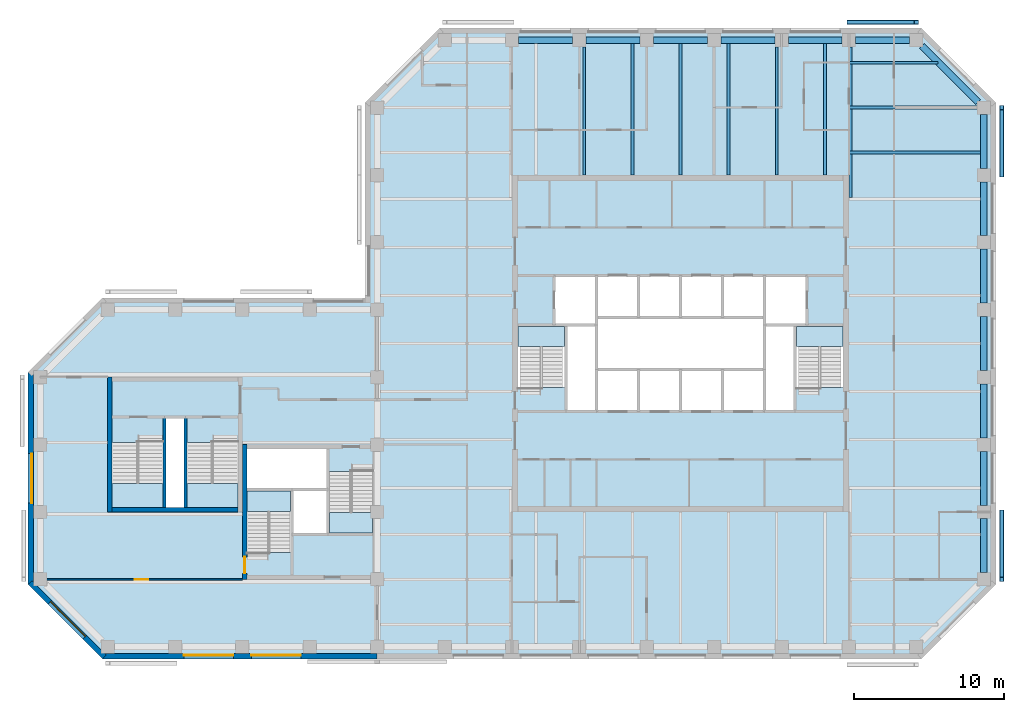
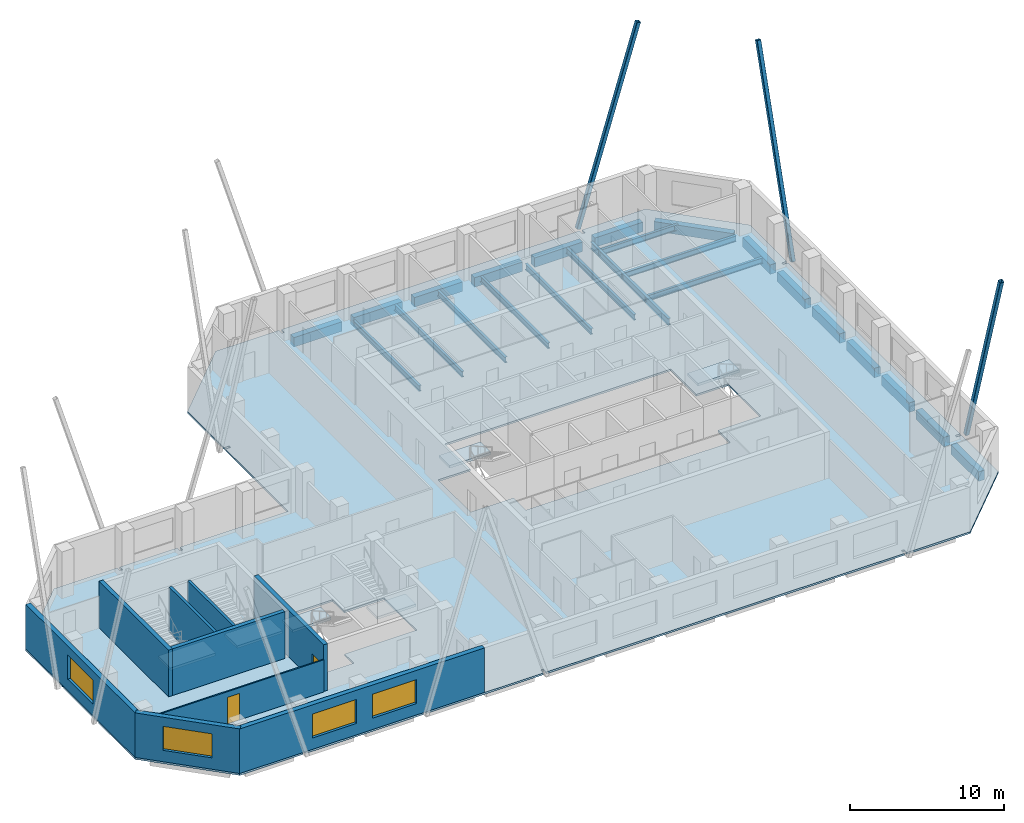
# One storey, part 2 of 9: 24 beams, 9 walls, 7 slabs, 4 windows, 3 members, 2 doors, 6 openings, 6 elements without a shape of their own.
"""IFC4 building model written with IfcOpenShell, lengths in metres."""

from ifc_helpers import new_model, si_unit, direction, frame, frame_2d, origin, origin_2d, place, context, subcontext, project, spatial, polyline, rectangle, hollow_rectangle, i_section, outline, extrude, material, layer, layer_set, constituent, constituent_set, material_profile, profile_set, type_object, element, fill, aggregate, save


model = new_model("IFC4")

# Units and contexts
model_context = context("Model", 3, precision=1e-05, world=origin(), true_north=direction((0.0, 1.0)))
body_context = subcontext(model_context, "Body", "Model", "MODEL_VIEW")
ifc_project = project(units=[si_unit("LENGTHUNIT", "METRE"), si_unit("AREAUNIT", "SQUARE_METRE"), si_unit("VOLUMEUNIT", "CUBIC_METRE"), si_unit("PLANEANGLEUNIT", "RADIAN"), si_unit("MASSUNIT", "GRAM", prefix="KILO")], contexts=[model_context])

# Site, building, storey
site_placement = place(None, origin())
site = spatial("IfcSite", under=ifc_project, at=site_placement, CompositionType="ELEMENT")
building_placement = place(site_placement, origin())
building = spatial("IfcBuilding", under=site, at=building_placement, Name="Quoin Convention Tower", CompositionType="ELEMENT")
storey_placement = place(building_placement, frame((0.0, 0.0, 173.60009765625)))
storey = spatial("IfcBuildingStorey", under=building, at=storey_placement, Name="L45", CompositionType="ELEMENT", Elevation=173.60009765625)

# Beams
ifc_material_1 = material(Name="Steel Grade 300", Category="steel")
ifc_material_profile_1 = material_profile(ifc_material_1, i_section(OverallWidth=0.18994140625, OverallDepth=0.4541015625, WebThickness=0.008544921875, FlangeThickness=0.0126953125, FilletRadius=0.011474609375, at=origin_2d()), Name="460UB67.1")
ifc_profile_set_1 = profile_set([ifc_material_profile_1], Name="Steel Grade 300")
beam_type_1 = type_object("IfcBeamType", Name="460UB67.1", PredefinedType="BEAM", material=ifc_profile_set_1)
beam_1_placement = place(storey_placement, frame((49.8212890625, 72.0, -0.377197265625), z_axis=(0.0, 1.0, 0.0), x_axis=(-1.0, 0.0, 0.0)))
element("IfcBeam", 1, at=beam_1_placement, inside=storey, type_object=beam_type_1, Name="bm-L45-T1N1", PredefinedType="BEAM", context=body_context, shape_type="SweptSolid", body=[
    extrude(i_section(OverallWidth=0.18994140625, OverallDepth=0.4541015625, WebThickness=0.008544921875, FlangeThickness=0.0126953125, FilletRadius=0.011474609375, at=origin_2d()), origin(), (0.0, 0.0, 1.0), 8.550048828125),
])
for number, where, z_axis, x_axis, name in (
    (2, (53.03564453125, 72.0, -0.377197265625), (0.0, 1.0, 0.0), (-1.0, 0.0, 0.0), "bm-L45-T1N2"),
    (3, (56.25, 72.0, -0.377197265625), (0.0, 1.0, 0.0), (-1.0, 0.0, 0.0), "bm-L45-T1N3"),
    (4, (59.46435546875, 72.0, -0.377197265625), (0.0, 1.0, 0.0), (-1.0, 0.0, 0.0), "bm-L45-T1N4"),
):
    element("IfcBeam", number, at=place(storey_placement, frame(where, z_axis=z_axis, x_axis=x_axis)), inside=storey, type_object=beam_type_1, Name=name, PredefinedType="BEAM", context=body_context, shape_type="SweptSolid", body=[
        extrude(i_section(OverallWidth=0.18994140625, OverallDepth=0.4541015625, WebThickness=0.008544921875, FlangeThickness=0.0126953125, FilletRadius=0.011474609375, at=origin_2d()), origin(), (0.0, 0.0, 1.0), 8.77490234375),
    ])
beam_2_placement = place(storey_placement, frame((62.6787109375, 72.0, -0.377197265625), z_axis=(0.0, 1.0, 0.0), x_axis=(-1.0, 0.0, 0.0)))
element("IfcBeam", 5, at=beam_2_placement, inside=storey, type_object=beam_type_1, Name="bm-L45-T1N5", PredefinedType="BEAM", context=body_context, shape_type="SweptSolid", body=[
    extrude(i_section(OverallWidth=0.18994140625, OverallDepth=0.4541015625, WebThickness=0.008544921875, FlangeThickness=0.0126953125, FilletRadius=0.011474609375, at=origin_2d()), origin(), (0.0, 0.0, 1.0), 8.550048828125),
])
beam_3_placement = place(storey_placement, frame((65.892822265625, 72.0, -0.377197265625), z_axis=(0.0, 1.0, 0.0), x_axis=(-1.0, 0.0, 0.0)))
element("IfcBeam", 6, at=beam_3_placement, inside=storey, type_object=beam_type_1, Name="bm-L45-T1N6", PredefinedType="BEAM", context=body_context, shape_type="SweptSolid", body=[
    extrude(i_section(OverallWidth=0.18994140625, OverallDepth=0.4541015625, WebThickness=0.008544921875, FlangeThickness=0.0126953125, FilletRadius=0.011474609375, at=origin_2d()), origin(), (0.0, 0.0, 1.0), 8.77490234375),
])
beam_4_placement = place(storey_placement, frame((67.5, 79.5, -0.377197265625), z_axis=(1.0, 0.0, 0.0), x_axis=(0.0, 1.0, 0.0)))
element("IfcBeam", 7, at=beam_4_placement, inside=storey, type_object=beam_type_1, Name="bm-L45-T1NE0", PredefinedType="BEAM", context=body_context, shape_type="SweptSolid", body=[
    extrude(i_section(OverallWidth=0.18994140625, OverallDepth=0.4541015625, WebThickness=0.008544921875, FlangeThickness=0.0126953125, FilletRadius=0.011474609375, at=origin_2d()), origin(), (0.0, 0.0, 1.0), 5.935791015625),
])
beam_5_placement = place(storey_placement, frame((67.5, 76.5, -0.377197265625), z_axis=(1.0, 0.0, 0.0), x_axis=(0.0, 1.0, 0.0)))
element("IfcBeam", 8, at=beam_5_placement, inside=storey, type_object=beam_type_1, Name="bm-L45-T1NE1", PredefinedType="BEAM", context=body_context, shape_type="SweptSolid", body=[
    extrude(i_section(OverallWidth=0.18994140625, OverallDepth=0.4541015625, WebThickness=0.008544921875, FlangeThickness=0.0126953125, FilletRadius=0.011474609375, at=origin_2d()), origin(), (0.0, 0.0, 1.0), 8.550048828125),
])
beam_6_placement = place(storey_placement, frame((67.5, 73.5, -0.377197265625), z_axis=(1.0, 0.0, 0.0), x_axis=(0.0, 1.0, 0.0)))
element("IfcBeam", 9, at=beam_6_placement, inside=storey, type_object=beam_type_1, Name="bm-L45-T1NE2", PredefinedType="BEAM", context=body_context, shape_type="SweptSolid", body=[
    extrude(i_section(OverallWidth=0.18994140625, OverallDepth=0.4541015625, WebThickness=0.008544921875, FlangeThickness=0.0126953125, FilletRadius=0.011474609375, at=origin_2d()), origin(), (0.0, 0.0, 1.0), 8.77490234375),
])
ifc_material_profile_2 = material_profile(ifc_material_1, i_section(OverallWidth=0.208984375, OverallDepth=0.528076171875, WebThickness=0.009521484375, FlangeThickness=0.01318359375, FilletRadius=0.013916015625, at=origin_2d()), Name="530UB82.0")
ifc_profile_set_2 = profile_set([ifc_material_profile_2], Name="Steel Grade 300")
beam_type_2 = type_object("IfcBeamType", Name="530UB82.0", PredefinedType="BEAM", material=ifc_profile_set_2)
beam_7_placement = place(storey_placement, frame((67.595458984375, 80.550048828125, -0.4140625), z_axis=(0.0, -1.0, 0.0), x_axis=(1.0, 0.0, 0.0)))
element("IfcBeam", 10, at=beam_7_placement, inside=storey, type_object=beam_type_2, Name="gir-L45-T1NE", PredefinedType="BEAM", context=body_context, shape_type="SweptSolid", body=[
    extrude(i_section(OverallWidth=0.208984375, OverallDepth=0.528076171875, WebThickness=0.009521484375, FlangeThickness=0.01318359375, FilletRadius=0.013916015625, at=origin_2d()), origin(), (0.0, 0.0, 1.0), 10.062255859375),
])

# Members
ifc_material_2 = material(Name="Steel C450L0", Category="steel")
ifc_material_profile_3 = material_profile(ifc_material_2, hollow_rectangle(XDim=0.300048828125, YDim=0.300048828125, WallThickness=0.012451171875, InnerFilletRadius=0.018798828125, OuterFilletRadius=0.03125, at=origin_2d()), Name="300x300x12.5SHS")
ifc_profile_set_3 = profile_set([ifc_material_profile_3], Name="Steel C450L0")
member_type = type_object("IfcMemberType", Name="Exposed brace 300x300x12.5SHS", PredefinedType="BRACE", material=ifc_profile_set_3)
for number, where, z_axis, x_axis, name in (
    (11, (67.5, 82.199951171875, -0.0751953125), (0.290903487189, 0.0, 0.956752403259), (0.0, 1.0, 0.0), "brc-L45-72000_81000-67500_81000"),
    (12, (77.699951171875, 49.5, -0.0751953125), (0.0, -0.290903487189, 0.956752403259), (1.0, 0.0, 0.0), "brc-L45-76500_45000-76500_49500"),
    (13, (77.699951171875, 72.0, -0.0751953125), (0.0, 0.290903487189, 0.956752403259), (-1.0, 0.0, 0.0), "brc-L45-76500_72000-76500_76500"),
):
    element("IfcMember", number, at=place(storey_placement, frame(where, z_axis=z_axis, x_axis=x_axis)), inside=storey, type_object=member_type, Name=name, PredefinedType="BRACE", context=body_context, shape_type="SweptSolid", body=[
        extrude(hollow_rectangle(XDim=0.300048828125, YDim=0.300048828125, WallThickness=0.012451171875, InnerFilletRadius=0.018798828125, OuterFilletRadius=0.03125, at=origin_2d()), origin(), (0.0, 0.0, 1.0), 15.468994140625),
    ])

# Beams
ifc_material_3 = material(Name="Concrete C50", Category="concrete")
ifc_material_profile_4 = material_profile(ifc_material_3, rectangle(XDim=0.449951171875, YDim=0.75, at=origin_2d()), Name="RC 450x750")
ifc_profile_set_4 = profile_set([ifc_material_profile_4], Name="Concrete C50")
beam_type_3 = type_object("IfcBeamType", Name="RC 450x750 C50", PredefinedType="SPANDREL", material=ifc_profile_set_4)
for number, where, z_axis, x_axis, name in (
    (14, (76.5, 45.449951171875, -0.525146484375), (0.0, 1.0, 0.0), (-1.0, 0.0, 0.0), "spd-L45-76500_45000-76500_49500"),
    (15, (76.5, 49.949951171875, -0.525146484375), (0.0, 1.0, 0.0), (-1.0, 0.0, 0.0), "spd-L45-76500_49500-76500_54000"),
    (16, (76.5, 54.449951171875, -0.525146484375), (0.0, 1.0, 0.0), (-1.0, 0.0, 0.0), "spd-L45-76500_54000-76500_58500"),
    (17, (76.5, 58.949951171875, -0.525146484375), (0.0, 1.0, 0.0), (-1.0, 0.0, 0.0), "spd-L45-76500_58500-76500_63000"),
    (18, (76.5, 63.449951171875, -0.525146484375), (0.0, 1.0, 0.0), (-1.0, 0.0, 0.0), "spd-L45-76500_63000-76500_67500"),
    (19, (76.5, 67.949951171875, -0.525146484375), (0.0, 1.0, 0.0), (-1.0, 0.0, 0.0), "spd-L45-76500_67500-76500_72000"),
    (20, (76.5, 72.449951171875, -0.525146484375), (0.0, 1.0, 0.0), (-1.0, 0.0, 0.0), "spd-L45-76500_72000-76500_76500"),
):
    element("IfcBeam", number, at=place(storey_placement, frame(where, z_axis=z_axis, x_axis=x_axis)), inside=storey, type_object=beam_type_3, Name=name, PredefinedType="SPANDREL", context=body_context, shape_type="SweptSolid", body=[
        extrude(rectangle(XDim=0.449951171875, YDim=0.75, at=origin_2d()), origin(), (0.0, 0.0, 1.0), 3.60009765625),
    ])
beam_8_placement = place(storey_placement, frame((76.135009765625, 76.864990234375, -0.525146484375), z_axis=(-0.707106781187, 0.707106781187, 0.0), x_axis=(-0.707106781187, -0.707106781187, 0.0)))
element("IfcBeam", 21, at=beam_8_placement, inside=storey, type_object=beam_type_3, Name="spd-L45-76500_76500-72000_81000", PredefinedType="SPANDREL", context=body_context, shape_type="SweptSolid", body=[
    extrude(rectangle(XDim=0.449951171875, YDim=0.75, at=origin_2d()), origin(), (0.0, 0.0, 1.0), 5.33154296875),
])
for number, where, z_axis, x_axis, name in (
    (22, (71.550048828125, 81.0, -0.525146484375), (-1.0, 0.0, 0.0), (0.0, -1.0, 0.0), "spd-L45-72000_81000-67500_81000"),
    (23, (67.050048828125, 81.0, -0.525146484375), (-1.0, 0.0, 0.0), (0.0, -1.0, 0.0), "spd-L45-67500_81000-63000_81000"),
    (24, (62.550048828125, 81.0, -0.525146484375), (-1.0, 0.0, 0.0), (0.0, -1.0, 0.0), "spd-L45-63000_81000-58500_81000"),
    (25, (58.050048828125, 81.0, -0.525146484375), (-1.0, 0.0, 0.0), (0.0, -1.0, 0.0), "spd-L45-58500_81000-54000_81000"),
    (26, (53.550048828125, 81.0, -0.525146484375), (-1.0, 0.0, 0.0), (0.0, -1.0, 0.0), "spd-L45-54000_81000-49500_81000"),
    (27, (49.050048828125, 81.0, -0.525146484375), (-1.0, 0.0, 0.0), (0.0, -1.0, 0.0), "spd-L45-49500_81000-45000_81000"),
):
    element("IfcBeam", number, at=place(storey_placement, frame(where, z_axis=z_axis, x_axis=x_axis)), inside=storey, type_object=beam_type_3, Name=name, PredefinedType="SPANDREL", context=body_context, shape_type="SweptSolid", body=[
        extrude(rectangle(XDim=0.449951171875, YDim=0.75, at=origin_2d()), origin(), (0.0, 0.0, 1.0), 3.60009765625),
    ])

# Slab
ifc_material_4 = material(Name="Concrete C40", Category="concrete")
ifc_layer_1 = layer(ifc_material_4, 0.14990234375)
ifc_layer_set_1 = layer_set([ifc_layer_1], Name="Concrete C40")
slab_type_1 = type_object("IfcSlabType", Name="COMPOSITE SLAB 150 C40", PredefinedType="FLOOR", material=ifc_layer_set_1)
slab_1_placement = place(storey_placement, frame((0.0, 0.0, -0.150146484375)))
element("IfcSlab", 28, at=slab_1_placement, inside=storey, type_object=slab_type_1, Name="slb-L45", PredefinedType="FLOOR", context=body_context, shape_type="SweptSolid", body=[
    extrude(outline(polyline([(12.699951171875, 44.668701171875), (12.699951171875, 49.405029296875), (13.070068359375, 49.405029296875), (13.070068359375, 49.594970703125), (12.699951171875, 49.594970703125), (12.699951171875, 53.905029296875), (13.070068359375, 53.905029296875), (13.070068359375, 54.094970703125), (12.699951171875, 54.094970703125), (12.699951171875, 58.831298828125), (17.668701171875, 63.800048828125), (22.405029296875, 63.800048828125), (22.405029296875, 63.429931640625), (22.594970703125, 63.429931640625), (22.594970703125, 63.800048828125), (26.905029296875, 63.800048828125), (26.905029296875, 63.429931640625), (27.094970703125, 63.429931640625), (27.094970703125, 63.800048828125), (35.199951171875, 63.800048828125), (35.199951171875, 71.905029296875), (35.570068359375, 71.905029296875), (35.570068359375, 72.094970703125), (35.199951171875, 72.094970703125), (35.199951171875, 76.831298828125), (40.168701171875, 81.800048828125), (44.905029296875, 81.800048828125), (44.905029296875, 81.429931640625), (45.094970703125, 81.429931640625), (45.094970703125, 81.800048828125), (67.405029296875, 81.800048828125), (67.405029296875, 81.429931640625), (67.594970703125, 81.429931640625), (67.594970703125, 81.800048828125), (72.331298828125, 81.800048828125), (77.300048828125, 76.831298828125), (77.300048828125, 72.094970703125), (76.929931640625, 72.094970703125), (76.929931640625, 71.905029296875), (77.300048828125, 71.905029296875), (77.300048828125, 49.594970703125), (76.929931640625, 49.594970703125), (76.929931640625, 49.405029296875), (77.300048828125, 49.405029296875), (77.300048828125, 44.668701171875), (72.331298828125, 39.699951171875), (67.594970703125, 39.699951171875), (67.594970703125, 40.070068359375), (67.405029296875, 40.070068359375), (67.405029296875, 39.699951171875), (40.594970703125, 39.699951171875), (40.594970703125, 40.070068359375), (40.405029296875, 40.070068359375), (40.405029296875, 39.699951171875), (31.594970703125, 39.699951171875), (31.594970703125, 40.070068359375), (31.405029296875, 40.070068359375), (31.405029296875, 39.699951171875), (22.594970703125, 39.699951171875), (22.594970703125, 40.070068359375), (22.405029296875, 40.070068359375), (22.405029296875, 39.699951171875), (17.668701171875, 39.699951171875), (12.699951171875, 44.668701171875)]), holes=[polyline([(27.300048828125, 46.800537109375), (30.300048828125, 46.800537109375), (30.300048828125, 48.0), (32.699951171875, 48.0), (35.699951171875, 48.0), (35.699951171875, 52.199462890625), (32.699951171875, 52.199462890625), (32.699951171875, 53.699951171875), (27.300048828125, 53.699951171875), (27.300048828125, 51.0), (27.300048828125, 46.800537109375)]), polyline([(21.800048828125, 49.800048828125), (23.199951171875, 49.800048828125), (26.699951171875, 49.800048828125), (26.699951171875, 54.1494140625), (23.199951171875, 54.1494140625), (23.199951171875, 55.85009765625), (21.800048828125, 55.85009765625), (21.800048828125, 54.1494140625), (18.300048828125, 54.1494140625), (18.300048828125, 49.800048828125), (21.800048828125, 49.800048828125)]), polyline([(50.64990234375, 56.199951171875), (53.449951171875, 56.199951171875), (56.25, 56.199951171875), (59.050048828125, 56.199951171875), (61.85009765625, 56.199951171875), (63.89990234375, 56.199951171875), (63.89990234375, 57.800537109375), (67.10009765625, 57.800537109375), (67.10009765625, 62.0), (64.699951171875, 62.0), (64.699951171875, 65.300048828125), (61.85009765625, 65.300048828125), (59.050048828125, 65.300048828125), (56.25, 65.300048828125), (53.449951171875, 65.300048828125), (50.64990234375, 65.300048828125), (47.800048828125, 65.300048828125), (47.800048828125, 62.0), (45.39990234375, 62.0), (45.39990234375, 57.800537109375), (48.60009765625, 57.800537109375), (48.60009765625, 56.199951171875), (50.64990234375, 56.199951171875)])]), origin(), (0.0, 0.0, 1.0), 0.150146484375),
])

# Stair, slab
stair_type_1 = type_object("IfcStairType", Name="Exit stair two-flight 1350", PredefinedType="HALF_TURN_STAIR", material=ifc_material_4)
stair_1_placement = place(storey_placement, origin())
stair_1 = element("IfcStair", 29, at=stair_1_placement, inside=storey, type_object=stair_type_1, Name="SD1 L45", PredefinedType="HALF_TURN_STAIR")
ifc_layer_2 = layer(ifc_material_4, 0.199951171875)
ifc_layer_set_2 = layer_set([ifc_layer_2], Name="Concrete C40")
slab_type_2 = type_object("IfcSlabType", Name="Stair landing 200", PredefinedType="LANDING", material=ifc_layer_set_2)
slab_2_placement = place(storey_placement, frame((0.0, 0.0, 1.792236328125)))
slab_2 = element("IfcSlab", 30, at=slab_2_placement, type_object=slab_type_2, Name="ST1 landing 1", PredefinedType="LANDING", context=body_context, shape_type="SweptSolid", body=[
    extrude(outline(polyline([(45.39990234375, 60.550048828125), (48.5, 60.550048828125), (48.5, 61.89990234375), (45.39990234375, 61.89990234375), (45.39990234375, 60.550048828125)])), origin(), (0.0, 0.0, 1.0), 0.199951171875),
])
aggregate(stair_1, [slab_2])

stair_2_placement = place(storey_placement, origin())
stair_2 = element("IfcStair", 31, at=stair_2_placement, inside=storey, type_object=stair_type_1, Name="SD2 L45", PredefinedType="HALF_TURN_STAIR")
slab_3_placement = place(storey_placement, frame((0.0, 0.0, 1.792236328125)))
slab_3 = element("IfcSlab", 32, at=slab_3_placement, type_object=slab_type_2, Name="ST2 landing 1", PredefinedType="LANDING", context=body_context, shape_type="SweptSolid", body=[
    extrude(outline(polyline([(64.0, 60.550048828125), (67.10009765625, 60.550048828125), (67.10009765625, 61.89990234375), (64.0, 61.89990234375), (64.0, 60.550048828125)])), origin(), (0.0, 0.0, 1.0), 0.199951171875),
])
aggregate(stair_2, [slab_3])

stair_3_placement = place(storey_placement, origin())
stair_3 = element("IfcStair", 33, at=stair_3_placement, inside=storey, type_object=stair_type_1, Name="SD3 L45", PredefinedType="HALF_TURN_STAIR")
slab_4_placement = place(storey_placement, frame((0.0, 0.0, 1.792236328125)))
slab_4 = element("IfcSlab", 34, at=slab_4_placement, type_object=slab_type_2, Name="ST3 landing 1", PredefinedType="LANDING", context=body_context, shape_type="SweptSolid", body=[
    extrude(outline(polyline([(27.300048828125, 49.550048828125), (30.199951171875, 49.550048828125), (30.199951171875, 50.89990234375), (27.300048828125, 50.89990234375), (27.300048828125, 49.550048828125)])), origin(), (0.0, 0.0, 1.0), 0.199951171875),
])
aggregate(stair_3, [slab_4])

stair_4_placement = place(storey_placement, origin())
stair_4 = element("IfcStair", 35, at=stair_4_placement, inside=storey, type_object=stair_type_1, Name="SD4 L45", PredefinedType="HALF_TURN_STAIR")
slab_5_placement = place(storey_placement, frame((0.0, 0.0, 1.792236328125)))
slab_5 = element("IfcSlab", 36, at=slab_5_placement, type_object=slab_type_2, Name="ST4 landing 1", PredefinedType="LANDING", context=body_context, shape_type="SweptSolid", body=[
    extrude(outline(polyline([(35.699951171875, 49.449951171875), (32.800048828125, 49.449951171875), (32.800048828125, 48.10009765625), (35.699951171875, 48.10009765625), (35.699951171875, 49.449951171875)])), origin(), (0.0, 0.0, 1.0), 0.199951171875),
])
aggregate(stair_4, [slab_5])

stair_type_2 = type_object("IfcStairType", Name="Exit stair two-flight 1600", PredefinedType="HALF_TURN_STAIR", material=ifc_material_4)
stair_5_placement = place(storey_placement, origin())
stair_5 = element("IfcStair", 37, at=stair_5_placement, inside=storey, type_object=stair_type_2, Name="SD11 L45", PredefinedType="HALF_TURN_STAIR")
slab_6_placement = place(storey_placement, frame((0.0, 0.0, 1.792236328125)))
slab_6 = element("IfcSlab", 38, at=slab_6_placement, type_object=slab_type_2, Name="ST11 landing 1", PredefinedType="LANDING", context=body_context, shape_type="SweptSolid", body=[
    extrude(outline(polyline([(21.699951171875, 51.39990234375), (18.300048828125, 51.39990234375), (18.300048828125, 49.800048828125), (21.699951171875, 49.800048828125), (21.699951171875, 51.39990234375)])), origin(), (0.0, 0.0, 1.0), 0.199951171875),
])
aggregate(stair_5, [slab_6])

stair_6_placement = place(storey_placement, origin())
stair_6 = element("IfcStair", 39, at=stair_6_placement, inside=storey, type_object=stair_type_2, Name="SD12 L45", PredefinedType="HALF_TURN_STAIR")
slab_7_placement = place(storey_placement, frame((0.0, 0.0, 1.792236328125)))
slab_7 = element("IfcSlab", 40, at=slab_7_placement, type_object=slab_type_2, Name="ST12 landing 1", PredefinedType="LANDING", context=body_context, shape_type="SweptSolid", body=[
    extrude(outline(polyline([(26.699951171875, 51.39990234375), (23.300048828125, 51.39990234375), (23.300048828125, 49.800048828125), (26.699951171875, 49.800048828125), (26.699951171875, 51.39990234375)])), origin(), (0.0, 0.0, 1.0), 0.199951171875),
])
aggregate(stair_6, [slab_7])

# Wall, opening, window
ifc_material_5 = material(Name="Brick masonry", Category="masonry")
ifc_layer_3 = layer(ifc_material_5, 0.35009765625)
ifc_layer_set_3 = layer_set([ifc_layer_3], Name="Brick masonry")
wall_type_1 = type_object("IfcWallType", Name="Brick facade wall", PredefinedType="STANDARD", material=ifc_layer_set_3)
wall_1_placement = place(storey_placement, frame((12.875, 58.831298828125, 0.0), z_axis=(0.0, 0.0, 1.0), x_axis=(0.0, -1.0, 0.0)))
wall_1 = element("IfcWall", 41, at=wall_1_placement, inside=storey, type_object=wall_type_1, Name="fw-L45-13500_58500", PredefinedType="STANDARD", context=body_context, shape_type="SweptSolid", body=[
    extrude(rectangle(XDim=14.16259765625, YDim=0.35009765625, at=frame_2d((7.081298828125, 0.0))), origin(), (0.0, 0.0, 1.0), 3.52490234375),
])
opening_1_placement = place(wall_1_placement, frame((5.431396484375, 0.0, 0.89990234375)))
opening_1 = element("IfcOpeningElement", 42, at=opening_1_placement, cuts=wall_1, Name="Opening W-02", PredefinedType="OPENING", context=body_context, shape_type="SweptSolid", body=[
    extrude(rectangle(XDim=3.300048828125, YDim=1.89990234375, at=frame_2d((1.64990234375, 0.949951171875))), frame((0.0, 0.18505859375, 0.0), z_axis=(0.0, -1.0, 0.0), x_axis=(1.0, 0.0, 0.0)), (0.0, 0.0, 1.0), 0.3701171875),
])
ifc_material_6 = material(Name="Aluminium", Category="aluminium")
ifc_constituent_1 = constituent(ifc_material_6, Name="Frame")
ifc_material_7 = material(Name="Insulated glass", Category="glass")
ifc_constituent_2 = constituent(ifc_material_7, Name="Glazing")
ifc_constituent_set = constituent_set(constituents=[ifc_constituent_1, ifc_constituent_2], Name="Aluminium")
window_type = type_object("IfcWindowType", Name="Office window", PartitioningType="DOUBLE_PANEL_VERTICAL", PredefinedType="WINDOW", material=ifc_constituent_set)
window_1_placement = place(opening_1_placement, origin())
window_1 = element("IfcWindow", 43, at=window_1_placement, inside=storey, type_object=window_type, Name="win-L45-12875_51750", OverallHeight=1.89990234375, OverallWidth=3.300048828125, PartitioningType="SINGLE_PANEL", PredefinedType="WINDOW", context=body_context, shape_type="SweptSolid", body=[
    extrude(rectangle(XDim=3.300048828125, YDim=1.89990234375, at=frame_2d((1.64990234375, 0.949951171875))), frame((0.0, 0.0849609375, 0.0), z_axis=(0.0, -1.0, 0.0), x_axis=(1.0, 0.0, 0.0)), (0.0, 0.0, 1.0), 0.06005859375),
])
fill(opening_1, window_1)

wall_2_placement = place(storey_placement, frame((12.82373046875, 44.79248046875, 0.0), z_axis=(0.0, 0.0, 1.0), x_axis=(0.707106781187, -0.707106781187, 0.0)))
wall_2 = element("IfcWall", 44, at=wall_2_placement, inside=storey, type_object=wall_type_1, Name="fw-L45-13500_45000", PredefinedType="STANDARD", context=body_context, shape_type="SweptSolid", body=[
    extrude(rectangle(XDim=7.02685546875, YDim=0.35009765625, at=frame_2d((3.513427734375, 0.0))), origin(), (0.0, 0.0, 1.0), 3.52490234375),
])
opening_2_placement = place(wall_2_placement, frame((1.86328125, 0.0, 0.89990234375)))
opening_2 = element("IfcOpeningElement", 45, at=opening_2_placement, cuts=wall_2, Name="Opening W-02", PredefinedType="OPENING", context=body_context, shape_type="SweptSolid", body=[
    extrude(rectangle(XDim=3.300048828125, YDim=1.89990234375, at=frame_2d((1.64990234375, 0.949951171875))), frame((0.0, 0.18505859375, 0.0), z_axis=(0.0, -1.0, 0.0), x_axis=(1.0, 0.0, 0.0)), (0.0, 0.0, 1.0), 0.3701171875),
])
window_2_placement = place(opening_2_placement, origin())
window_2 = element("IfcWindow", 46, at=window_2_placement, inside=storey, type_object=window_type, Name="win-L45-15308_42308", OverallHeight=1.89990234375, OverallWidth=3.300048828125, PartitioningType="SINGLE_PANEL", PredefinedType="WINDOW", context=body_context, shape_type="SweptSolid", body=[
    extrude(rectangle(XDim=3.300048828125, YDim=1.89990234375, at=frame_2d((1.64990234375, 0.949951171875))), frame((0.0, 0.0849609375, 0.0), z_axis=(0.0, -1.0, 0.0), x_axis=(1.0, 0.0, 0.0)), (0.0, 0.0, 1.0), 0.06005859375),
])
fill(opening_2, window_2)

# Wall, openings, windows
wall_3_placement = place(storey_placement, frame((17.668701171875, 39.875, 0.0), z_axis=(0.0, 0.0, 1.0), x_axis=(1.0, 0.0, 0.0)))
wall_3 = element("IfcWall", 47, at=wall_3_placement, inside=storey, type_object=wall_type_1, Name="fw-L45-18000_40500", PredefinedType="STANDARD", context=body_context, shape_type="SweptSolid", body=[
    extrude(rectangle(XDim=18.331298828125, YDim=0.35009765625, at=frame_2d((9.16552734375, 0.0))), origin(), (0.0, 0.0, 1.0), 3.52490234375),
])
opening_3_placement = place(wall_3_placement, frame((5.431396484375, 0.0, 0.89990234375)))
opening_3 = element("IfcOpeningElement", 48, at=opening_3_placement, cuts=wall_3, Name="Opening W-02", PredefinedType="OPENING", context=body_context, shape_type="SweptSolid", body=[
    extrude(rectangle(XDim=3.300048828125, YDim=1.89990234375, at=frame_2d((1.64990234375, 0.949951171875))), frame((0.0, 0.18505859375, 0.0), z_axis=(0.0, -1.0, 0.0), x_axis=(1.0, 0.0, 0.0)), (0.0, 0.0, 1.0), 0.3701171875),
])
opening_4_placement = place(wall_3_placement, frame((9.931396484375, 0.0, 0.89990234375)))
opening_4 = element("IfcOpeningElement", 49, at=opening_4_placement, cuts=wall_3, Name="Opening W-02", PredefinedType="OPENING", context=body_context, shape_type="SweptSolid", body=[
    extrude(rectangle(XDim=3.300048828125, YDim=1.89990234375, at=frame_2d((1.64990234375, 0.949951171875))), frame((0.0, 0.18505859375, 0.0), z_axis=(0.0, -1.0, 0.0), x_axis=(1.0, 0.0, 0.0)), (0.0, 0.0, 1.0), 0.3701171875),
])
window_3_placement = place(opening_3_placement, origin())
window_3 = element("IfcWindow", 50, at=window_3_placement, inside=storey, type_object=window_type, Name="win-L45-24750_39875", OverallHeight=1.89990234375, OverallWidth=3.300048828125, PartitioningType="SINGLE_PANEL", PredefinedType="WINDOW", context=body_context, shape_type="SweptSolid", body=[
    extrude(rectangle(XDim=3.300048828125, YDim=1.89990234375, at=frame_2d((1.64990234375, 0.949951171875))), frame((0.0, 0.0849609375, 0.0), z_axis=(0.0, -1.0, 0.0), x_axis=(1.0, 0.0, 0.0)), (0.0, 0.0, 1.0), 0.06005859375),
])
fill(opening_3, window_3)
window_4_placement = place(opening_4_placement, origin())
window_4 = element("IfcWindow", 51, at=window_4_placement, inside=storey, type_object=window_type, Name="win-L45-29250_39875", OverallHeight=1.89990234375, OverallWidth=3.300048828125, PartitioningType="SINGLE_PANEL", PredefinedType="WINDOW", context=body_context, shape_type="SweptSolid", body=[
    extrude(rectangle(XDim=3.300048828125, YDim=1.89990234375, at=frame_2d((1.64990234375, 0.949951171875))), frame((0.0, 0.0849609375, 0.0), z_axis=(0.0, -1.0, 0.0), x_axis=(1.0, 0.0, 0.0)), (0.0, 0.0, 1.0), 0.06005859375),
])
fill(opening_4, window_4)

# Walls
ifc_layer_4 = layer(ifc_material_3, 0.199951171875)
ifc_layer_set_4 = layer_set([ifc_layer_4], Name="Concrete C50")
wall_type_2 = type_object("IfcWallType", Name="Core shaft wall", PredefinedType="SOLIDWALL", material=ifc_layer_set_4)
for number, where, z_axis, x_axis, name in (
    (52, (21.800048828125, 49.800048828125, 0.0), (0.0, 0.0, 1.0), (0.0, 1.0, 0.0), "cr-P6-L45-v3800_300"),
    (53, (23.199951171875, 49.800048828125, 0.0), (0.0, 0.0, 1.0), (0.0, 1.0, 0.0), "cr-P6-L45-v5200_300"),
):
    element("IfcWall", number, at=place(storey_placement, frame(where, z_axis=z_axis, x_axis=x_axis)), inside=storey, type_object=wall_type_2, Name=name, PredefinedType="SOLIDWALL", context=body_context, shape_type="SweptSolid", body=[
        extrude(rectangle(XDim=6.050048828125, YDim=0.199951171875, at=frame_2d((3.02490234375, 0.0))), origin(), (0.0, 0.0, 1.0), 3.5498046875),
    ])

# Wall, opening, door
ifc_layer_5 = layer(ifc_material_3, 0.300048828125)
ifc_layer_set_5 = layer_set([ifc_layer_5], Name="Concrete C50")
wall_type_3 = type_object("IfcWallType", Name="RC CORE WALL 300 C50", PredefinedType="SHEAR", material=ifc_layer_set_5)
wall_4_placement = place(storey_placement, frame((27.14990234375, 45.0, 0.0), z_axis=(0.0, 0.0, 1.0), x_axis=(0.0, 1.0, 0.0)))
wall_4 = element("IfcWall", 54, at=wall_4_placement, inside=storey, type_object=wall_type_3, Name="cwl-P2-L45-W", PredefinedType="SHEAR", context=body_context, shape_type="SweptSolid", body=[
    extrude(rectangle(XDim=9.0, YDim=0.300048828125, at=frame_2d((4.5, 0.0))), origin(), (0.0, 0.0, 1.0), 3.699951171875),
])
opening_5_placement = place(wall_4_placement, frame((0.39990234375, 0.0, 0.0)))
opening_5 = element("IfcOpeningElement", 55, at=opening_5_placement, cuts=wall_4, Name="Opening SD3", PredefinedType="OPENING", context=body_context, shape_type="SweptSolid", body=[
    extrude(rectangle(XDim=1.10009765625, YDim=2.10009765625, at=frame_2d((0.550048828125, 1.050048828125))), frame((0.0, 0.159912109375, 0.0), z_axis=(0.0, -1.0, 0.0), x_axis=(1.0, 0.0, 0.0)), (0.0, 0.0, 1.0), 0.320068359375),
])
ifc_material_8 = material(Name="Steel door leaf", Category="steel")
door_type_1 = type_object("IfcDoorType", Name="Stair door 1100 x 2100", OperationType="SINGLE_SWING_RIGHT", PredefinedType="DOOR", material=ifc_material_8)
door_1_placement = place(opening_5_placement, frame((1.10009765625, 0.0, 0.0), z_axis=(0.0, 0.0, 1.0), x_axis=(-1.0, 0.0, 0.0)))
door_1 = element("IfcDoor", 56, at=door_1_placement, inside=storey, type_object=door_type_1, Name="cd-P2-L45-SA-W", OperationType="SINGLE_SWING_RIGHT", OverallHeight=2.10009765625, OverallWidth=1.10009765625, PredefinedType="DOOR", context=body_context, shape_type="SweptSolid", body=[
    extrude(rectangle(XDim=1.10009765625, YDim=2.10009765625, at=frame_2d((0.550048828125, 1.050048828125))), frame((0.0, 0.02490234375, 0.0), z_axis=(0.0, -1.0, 0.0), x_axis=(1.0, 0.0, 0.0)), (0.0, 0.0, 1.0), 0.050048828125),
])
fill(opening_5, door_1)

# Walls
wall_5_placement = place(storey_placement, frame((18.300048828125, 49.64990234375, 0.0), z_axis=(0.0, 0.0, 1.0), x_axis=(1.0, 0.0, 0.0)))
element("IfcWall", 57, at=wall_5_placement, inside=storey, type_object=wall_type_3, Name="cwl-P6-L45-S", PredefinedType="SHEAR", context=body_context, shape_type="SweptSolid", body=[
    extrude(rectangle(XDim=8.39990234375, YDim=0.300048828125, at=frame_2d((4.199951171875, 0.0))), origin(), (0.0, 0.0, 1.0), 3.699951171875),
])
wall_6_placement = place(storey_placement, frame((18.14990234375, 49.5, 0.0), z_axis=(0.0, 0.0, 1.0), x_axis=(0.0, 1.0, 0.0)))
element("IfcWall", 58, at=wall_6_placement, inside=storey, type_object=wall_type_3, Name="cwl-P6-L45-W", PredefinedType="SHEAR", context=body_context, shape_type="SweptSolid", body=[
    extrude(rectangle(XDim=9.0, YDim=0.300048828125, at=frame_2d((4.5, 0.0))), origin(), (0.0, 0.0, 1.0), 3.699951171875),
])

# Wall, opening, door
ifc_material_9 = material(Name="Plasterboard")
ifc_layer_6 = layer(ifc_material_9, 0.012451171875, Name="Finish")
ifc_material_10 = material(Name="Steel stud framing", Category="steel")
ifc_layer_7 = layer(ifc_material_10, 0.074951171875, Name="Structure")
ifc_layer_8 = layer(ifc_material_9, 0.012451171875, Name="Finish")
ifc_layer_set_6 = layer_set([ifc_layer_6, ifc_layer_7, ifc_layer_8], Name="Steel stud framing")
wall_type_4 = type_object("IfcWallType", Name="Stud partition 100 under beam 1000", PredefinedType="PARTITIONING", material=ifc_layer_set_6)
wall_7_placement = place(storey_placement, frame((27.0, 45.0, 0.0), z_axis=(0.0, 0.0, 1.0), x_axis=(-1.0, 0.0, 0.0)))
wall_7 = element("IfcWall", 59, at=wall_7_placement, inside=storey, type_object=wall_type_4, Name="pw-L45-w02", PredefinedType="PARTITIONING", context=body_context, shape_type="SweptSolid", body=[
    extrude(rectangle(XDim=13.5, YDim=0.10009765625, at=frame_2d((6.75, 0.0))), origin(), (0.0, 0.0, 1.0), 2.5498046875),
])
opening_6_placement = place(wall_7_placement, frame((6.300048828125, 0.0, 0.0)))
opening_6 = element("IfcOpeningElement", 60, at=opening_6_placement, cuts=wall_7, Name="Opening DOH4-21", PredefinedType="OPENING", context=body_context, shape_type="SweptSolid", body=[
    extrude(rectangle(XDim=0.89990234375, YDim=2.10009765625, at=frame_2d((0.449951171875, 1.050048828125))), frame((0.0, 0.06005859375, 0.0), z_axis=(0.0, -1.0, 0.0), x_axis=(1.0, 0.0, 0.0)), (0.0, 0.0, 1.0), 0.1201171875),
])
door_type_2 = type_object("IfcDoorType", Name="Office door 900 x 2100", OperationType="SINGLE_SWING_RIGHT", PredefinedType="DOOR", material=ifc_material_8)
door_2_placement = place(opening_6_placement, frame((0.89990234375, 0.0, 0.0), z_axis=(0.0, 0.0, 1.0), x_axis=(-1.0, 0.0, 0.0)))
door_2 = element("IfcDoor", 61, at=door_2_placement, inside=storey, type_object=door_type_2, Name="dr-L45-w03", OperationType="SINGLE_SWING_RIGHT", OverallHeight=2.10009765625, OverallWidth=0.89990234375, PredefinedType="DOOR", context=body_context, shape_type="SweptSolid", body=[
    extrude(rectangle(XDim=0.89990234375, YDim=2.10009765625, at=frame_2d((0.449951171875, 1.050048828125))), frame((0.0, 0.02490234375, 0.0), z_axis=(0.0, -1.0, 0.0), x_axis=(1.0, 0.0, 0.0)), (0.0, 0.0, 1.0), 0.050048828125),
])
fill(opening_6, door_2)

save(model, "model.ifc")
